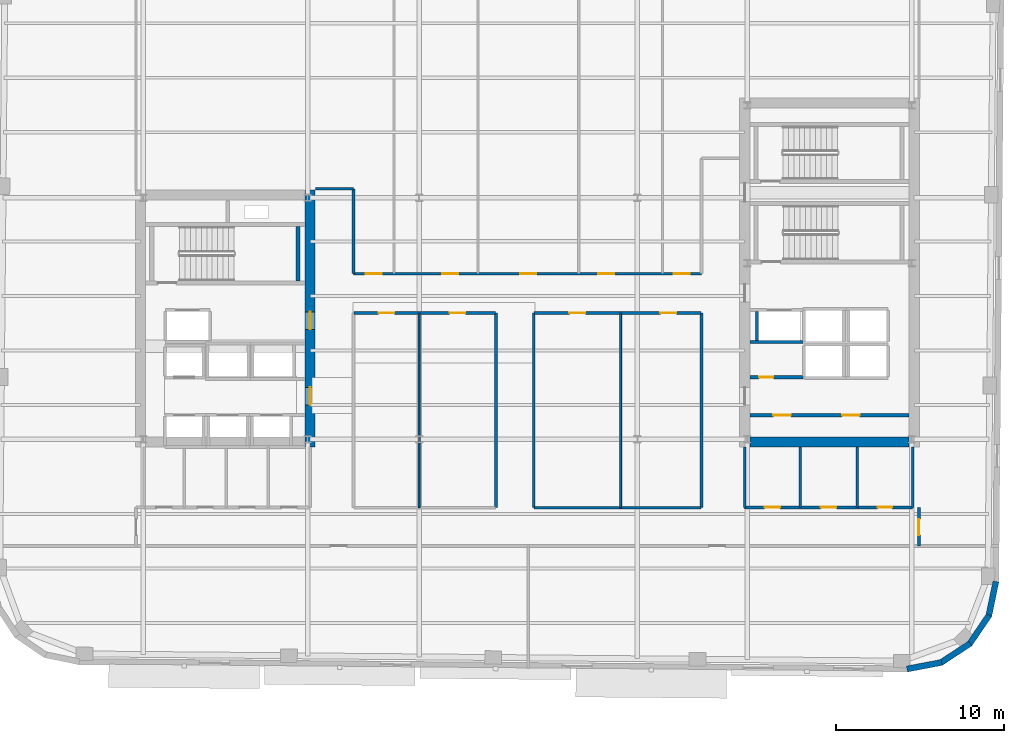
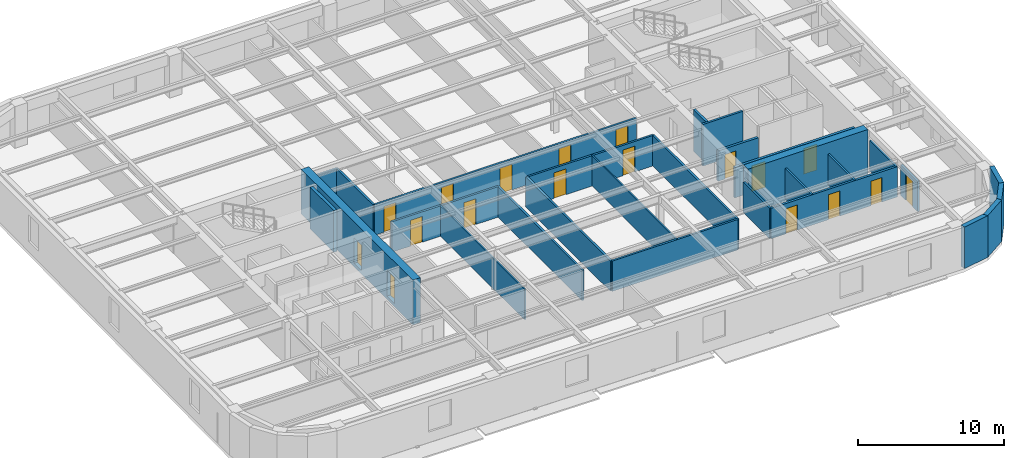
# One storey, part 5 of 11: 28 walls, 18 doors, 18 openings.
"""IFC4 building model written with IfcOpenShell, lengths in metres."""

import ifcopenshell
import ifcopenshell.guid

model = None  # the IFC model being written
_history = None  # IfcOwnerHistory: only IFC2X3 demands one
_inside = {}  # id of a spatial element -> (the spatial element, [elements in it])
_under = {}  # id of a project, library or spatial element -> (it, [spatial elements below it])
_declared = {}  # id of a project -> (the project, [libraries it declares])
_typed = {}  # id of a type object -> (the type object, [elements of that type])
_made_of = {}  # id of a material, layer set ... -> (it, [elements and type objects made of it])


def new_model(schema):
    """Start an empty IFC model of exactly this schema.

    Asked for "IFC4X3", IfcOpenShell would pick the latest addendum, in which some entities
    have other attributes; the version numbers below select the first issue.
    IFC2X3 requires an IfcOwnerHistory on every rooted entity: one is made here for all.
    """
    global model, _history
    if schema == "IFC4X3":
        model = ifcopenshell.file(schema_version=(4, 3, 0, 0))
    else:
        model = ifcopenshell.file(schema=schema)
    _inside.clear()
    _under.clear()
    _declared.clear()
    _typed.clear()
    _made_of.clear()
    _history = None
    if model.schema == "IFC2X3":
        org = make("IfcOrganization", Name="unknown")
        user = make(
            "IfcPersonAndOrganization",
            ThePerson=make("IfcPerson", FamilyName="unknown"),
            TheOrganization=org,
        )
        app = make(
            "IfcApplication",
            ApplicationDeveloper=org,
            Version="unknown",
            ApplicationFullName="unknown",
            ApplicationIdentifier="unknown",
        )
        _history = make(
            "IfcOwnerHistory",
            OwningUser=user,
            OwningApplication=app,
            ChangeAction="ADDED",
            CreationDate=0,
        )
    return model


def make(cls, **values):
    """One entity of the class cls with the attributes given. An attribute that is None is left unset."""
    return model.create_entity(
        cls, **{name: value for name, value in values.items() if value is not None}
    )


def rooted(cls, **values):
    """An entity with a GlobalId (a new one), such as an element, a storey or a relation."""
    return make(cls, GlobalId=ifcopenshell.guid.new(), OwnerHistory=_history, **values)


def si_unit(unit_type, name, prefix=None):
    """IfcSIUnit, for example si_unit("LENGTHUNIT", "METRE", prefix="MILLI")."""
    return make("IfcSIUnit", UnitType=unit_type, Prefix=prefix, Name=name)


def assignment(units):
    """IfcUnitAssignment: the units of a project."""
    return None if units is None else make("IfcUnitAssignment", Units=units)


def point(xyz):
    """IfcCartesianPoint."""
    return None if xyz is None else make("IfcCartesianPoint", Coordinates=xyz)


def direction(xyz):
    """IfcDirection."""
    return None if xyz is None else make("IfcDirection", DirectionRatios=xyz)


def frame(location, z_axis=None, x_axis=None):
    """IfcAxis2Placement3D, a coordinate frame: its origin and axes. An axis left out is left unset."""
    return make(
        "IfcAxis2Placement3D",
        Location=point(location),
        Axis=direction(z_axis),
        RefDirection=direction(x_axis),
    )


def frame_2d(location, x_axis=None):
    """IfcAxis2Placement2D, a coordinate frame in the plane: its origin and x axis."""
    return make(
        "IfcAxis2Placement2D", Location=point(location), RefDirection=direction(x_axis)
    )


def origin():
    """The frame at (0, 0, 0) with its axes left unset."""
    return frame((0.0, 0.0, 0.0))


def place(relative_to, where):
    """IfcLocalPlacement: puts the frame where relative to a parent placement (None: the world)."""
    return make(
        "IfcLocalPlacement", PlacementRelTo=relative_to, RelativePlacement=where
    )


def context(
    kind, dimensions, precision=None, world=None, true_north=None, identifier=None
):
    """IfcGeometricRepresentationContext, for example the 3D "Model" context."""
    return make(
        "IfcGeometricRepresentationContext",
        ContextIdentifier=identifier,
        ContextType=kind,
        CoordinateSpaceDimension=dimensions,
        Precision=precision,
        WorldCoordinateSystem=world,
        TrueNorth=true_north,
    )


def subcontext(parent, identifier, kind, view, scale=None):
    """IfcGeometricRepresentationSubContext, for example "Body" below "Model"."""
    return make(
        "IfcGeometricRepresentationSubContext",
        ContextIdentifier=identifier,
        ContextType=kind,
        ParentContext=parent,
        TargetScale=scale,
        TargetView=view,
    )


def project(units=None, contexts=None):
    """IfcProject with its units and contexts."""
    return rooted(
        "IfcProject",
        Name="project",
        RepresentationContexts=contexts,
        UnitsInContext=assignment(units),
    )


def spatial(cls, under=None, at=None, **own):
    """A site, building, storey or space (cls), placed at a placement, below another one or the project."""
    s = rooted(cls, ObjectPlacement=at, **own)
    if under is not None:
        _under.setdefault(under.id(), (under, []))[1].append(s)
    return s


def profile(cls, at=None, kind="AREA", **sizes):
    """A parametric profile (cls). Its sizes go by their IFC names, for example OverallWidth=200.0."""
    return make(cls, ProfileType=kind, Position=at, **sizes)


def rectangle(**sizes):
    """IfcRectangleProfileDef."""
    return profile("IfcRectangleProfileDef", **sizes)


def extrude(swept, where, along, depth):
    """IfcExtrudedAreaSolid: the profile swept, set in the frame where, extruded along a direction by depth."""
    return make(
        "IfcExtrudedAreaSolid",
        SweptArea=swept,
        Position=where,
        ExtrudedDirection=direction(along),
        Depth=depth,
    )


def shape(context_of_items, identifier, shape_type, items):
    """IfcShapeRepresentation: the items that make up one representation, for example the "Body"."""
    return make(
        "IfcShapeRepresentation",
        ContextOfItems=context_of_items,
        RepresentationIdentifier=identifier,
        RepresentationType=shape_type,
        Items=items,
    )


def material(Name=None, Category=None):
    """IfcMaterial."""
    return make("IfcMaterial", Name=Name, Category=Category)


def layer(
    of_material, thickness, ventilated=None, Name=None, Category=None, Priority=None
):
    """IfcMaterialLayer: one layer of a wall or slab, of a material (None: an air gap)."""
    return make(
        "IfcMaterialLayer",
        Material=of_material,
        LayerThickness=thickness,
        IsVentilated=ventilated,
        Name=Name,
        Category=Category,
        Priority=Priority,
    )


def layer_set(layers, Name=None):
    """IfcMaterialLayerSet."""
    return make("IfcMaterialLayerSet", MaterialLayers=layers, LayerSetName=Name)


def made_of(thing, what):
    """Note that an element or type object is made of a material, layer set ...; save() writes the relation."""
    if what is not None:
        _made_of.setdefault(what.id(), (what, []))[1].append(thing)
    return thing


def type_object(cls, material=None, **own):
    """A type object (cls), such as IfcWallType, which elements share."""
    return made_of(rooted(cls, **own), material)


def element(
    cls,
    number,
    at=None,
    inside=None,
    cuts=None,
    type_object=None,
    material=None,
    context=None,
    identifier="Body",
    shape_type=None,
    held_by="IfcProductDefinitionShape",
    body=None,
    shapes=None,
    **own,
):
    """One element of the class cls, such as IfcWall. Its Tag is "e" and its number.

    at: its placement. inside: the storey or other place that contains it. cuts: it is an
    opening in that element (IfcRelVoidsElement). A single representation is given by context,
    identifier, shape_type and body (its items); several are given by shapes. held_by: the class
    of the entity that holds the representations. save() writes the other relations.
    """
    e = rooted(cls, Tag="e%d" % number, ObjectPlacement=at, **own)
    if body is not None:
        shapes = [shape(context, identifier, shape_type, body)]
    if shapes is not None:
        e.Representation = make(held_by, Representations=shapes)
    if inside is not None:
        _inside.setdefault(inside.id(), (inside, []))[1].append(e)
    if cuts is not None:
        rooted(
            "IfcRelVoidsElement", RelatingBuildingElement=cuts, RelatedOpeningElement=e
        )
    if type_object is not None:
        _typed.setdefault(type_object.id(), (type_object, []))[1].append(e)
    return made_of(e, material)


def fill(opening, filler):
    """IfcRelFillsElement: the door or window that sits in an opening."""
    return rooted(
        "IfcRelFillsElement",
        RelatingOpeningElement=opening,
        RelatedBuildingElement=filler,
    )


def aggregate(whole, parts):
    """IfcRelAggregates: a whole, such as a stair, and the parts it consists of."""
    return rooted("IfcRelAggregates", RelatingObject=whole, RelatedObjects=parts)


def save(model, path):
    """Write the relations noted so far, then the file.

    IfcRelAggregates (storeys below a building ...), IfcRelContainedInSpatialStructure (elements
    in a storey), IfcRelDefinesByType, IfcRelAssociatesMaterial and IfcRelDeclares: one each for
    every whole, place, type object, material and project.
    """
    for whole, parts in _under.values():
        aggregate(whole, parts)
    for where, things in _inside.values():
        rooted(
            "IfcRelContainedInSpatialStructure",
            RelatedElements=things,
            RelatingStructure=where,
        )
    for kind, things in _typed.values():
        rooted("IfcRelDefinesByType", RelatedObjects=things, RelatingType=kind)
    for what, things in _made_of.values():
        rooted("IfcRelAssociatesMaterial", RelatedObjects=things, RelatingMaterial=what)
    for by, libraries in _declared.values():
        rooted("IfcRelDeclares", RelatingContext=by, RelatedDefinitions=libraries)
    model.write(path)


model = new_model("IFC4")

# Units and contexts
model_context = context("Model", 3, precision=1e-05, world=origin(), true_north=direction((0.0, 1.0)))
body_context = subcontext(model_context, "Body", "Model", "MODEL_VIEW")
ifc_project = project(units=[si_unit("LENGTHUNIT", "METRE"), si_unit("AREAUNIT", "SQUARE_METRE"), si_unit("VOLUMEUNIT", "CUBIC_METRE"), si_unit("PLANEANGLEUNIT", "RADIAN"), si_unit("MASSUNIT", "GRAM", prefix="KILO")], contexts=[model_context])

# Site, building, storey
site_placement = place(None, origin())
site = spatial("IfcSite", under=ifc_project, at=site_placement, CompositionType="ELEMENT")
building_placement = place(site_placement, origin())
building = spatial("IfcBuilding", under=site, at=building_placement, Name="Kolvaren Arena Tower", CompositionType="ELEMENT")
storey_placement = place(building_placement, frame((0.0, 0.0, 180.949951171875)))
storey = spatial("IfcBuildingStorey", under=building, at=storey_placement, Name="L43", CompositionType="ELEMENT", Elevation=180.949951171875)

# Wall, openings, doors
ifc_material_1 = material(Name="Gypsum board acoustic assembly", Category="gypsum")
ifc_layer_1 = layer(ifc_material_1, 0.159912109375)
ifc_layer_set_1 = layer_set([ifc_layer_1], Name="Gypsum board acoustic assembly")
wall_type_1 = type_object("IfcWallType", Name="CORR-160", PredefinedType="PARTITIONING", material=ifc_layer_set_1)
wall_1_placement = place(storey_placement, frame((27.080078125, 29.320068359375, 0.0), z_axis=(0.0, 0.0, 1.0), x_axis=(1.0, 0.0, 0.0)))
wall_1 = element("IfcWall", 1, at=wall_1_placement, inside=storey, type_object=wall_type_1, Name="Interior Partition Wall (L43)", PredefinedType="PARTITIONING", context=body_context, shape_type="SweptSolid", body=[
    extrude(rectangle(XDim=20.739990234375, YDim=0.159912109375, at=frame_2d((10.3701171875, 0.0))), origin(), (0.0, 0.0, 1.0), 2.5400390625),
])
opening_1_placement = place(wall_1_placement, frame((0.7451171875, 0.0, 0.0)))
opening_1 = element("IfcOpeningElement", 2, at=opening_1_placement, cuts=wall_1, Name="Opening D05", PredefinedType="OPENING", context=body_context, shape_type="SweptSolid", body=[
    extrude(rectangle(XDim=0.949951171875, YDim=2.14990234375, at=frame_2d((0.47509765625, 1.074951171875))), frame((0.0, 0.08984375, 0.0), z_axis=(0.0, -1.0, 0.0), x_axis=(1.0, 0.0, 0.0)), (0.0, 0.0, 1.0), 0.179931640625),
])
opening_2_placement = place(wall_1_placement, frame((5.294921875, 0.0, 0.0)))
opening_2 = element("IfcOpeningElement", 3, at=opening_2_placement, cuts=wall_1, Name="Opening D05", PredefinedType="OPENING", context=body_context, shape_type="SweptSolid", body=[
    extrude(rectangle(XDim=0.949951171875, YDim=2.14990234375, at=frame_2d((0.47509765625, 1.074951171875))), frame((0.0, 0.08984375, 0.0), z_axis=(0.0, -1.0, 0.0), x_axis=(1.0, 0.0, 0.0)), (0.0, 0.0, 1.0), 0.179931640625),
])
opening_3_placement = place(wall_1_placement, frame((9.945068359375, 0.0, 0.0)))
opening_3 = element("IfcOpeningElement", 4, at=opening_3_placement, cuts=wall_1, Name="Opening D05", PredefinedType="OPENING", context=body_context, shape_type="SweptSolid", body=[
    extrude(rectangle(XDim=0.949951171875, YDim=2.14990234375, at=frame_2d((0.47509765625, 1.074951171875))), frame((0.0, 0.08984375, 0.0), z_axis=(0.0, -1.0, 0.0), x_axis=(1.0, 0.0, 0.0)), (0.0, 0.0, 1.0), 0.179931640625),
])
opening_4_placement = place(wall_1_placement, frame((14.594970703125, 0.0, 0.0)))
opening_4 = element("IfcOpeningElement", 5, at=opening_4_placement, cuts=wall_1, Name="Opening D05", PredefinedType="OPENING", context=body_context, shape_type="SweptSolid", body=[
    extrude(rectangle(XDim=0.949951171875, YDim=2.14990234375, at=frame_2d((0.47509765625, 1.074951171875))), frame((0.0, 0.08984375, 0.0), z_axis=(0.0, -1.0, 0.0), x_axis=(1.0, 0.0, 0.0)), (0.0, 0.0, 1.0), 0.179931640625),
])
opening_5_placement = place(wall_1_placement, frame((19.094970703125, 0.0, 0.0)))
opening_5 = element("IfcOpeningElement", 6, at=opening_5_placement, cuts=wall_1, Name="Opening D05", PredefinedType="OPENING", context=body_context, shape_type="SweptSolid", body=[
    extrude(rectangle(XDim=0.949951171875, YDim=2.14990234375, at=frame_2d((0.47509765625, 1.074951171875))), frame((0.0, 0.08984375, 0.0), z_axis=(0.0, -1.0, 0.0), x_axis=(1.0, 0.0, 0.0)), (0.0, 0.0, 1.0), 0.179931640625),
])
ifc_material_2 = material(Name="Solid-core oak acoustic office door", Category="wood")
door_type_1 = type_object("IfcDoorType", Name="DOOR-OF-095", OperationType="NOTDEFINED", PredefinedType="DOOR", material=ifc_material_2)
door_1_placement = place(opening_1_placement, origin())
door_1 = element("IfcDoor", 7, at=door_1_placement, inside=storey, type_object=door_type_1, Name="Design Studio Door (L43)", OperationType="SINGLE_SWING_LEFT", OverallHeight=2.14990234375, OverallWidth=0.949951171875, PredefinedType="DOOR", context=body_context, shape_type="SweptSolid", body=[
    extrude(rectangle(XDim=0.949951171875, YDim=2.14990234375, at=frame_2d((0.47509765625, 1.074951171875))), frame((0.0, 0.02490234375, 0.0), z_axis=(0.0, -1.0, 0.0), x_axis=(1.0, 0.0, 0.0)), (0.0, 0.0, 1.0), 0.050048828125),
])
fill(opening_1, door_1)
door_2_placement = place(opening_2_placement, origin())
door_2 = element("IfcDoor", 8, at=door_2_placement, inside=storey, type_object=door_type_1, Name="Corporate Project Office Door (L43)", OperationType="SINGLE_SWING_RIGHT", OverallHeight=2.14990234375, OverallWidth=0.949951171875, PredefinedType="DOOR", context=body_context, shape_type="SweptSolid", body=[
    extrude(rectangle(XDim=0.949951171875, YDim=2.14990234375, at=frame_2d((0.47509765625, 1.074951171875))), frame((0.0, 0.02490234375, 0.0), z_axis=(0.0, -1.0, 0.0), x_axis=(1.0, 0.0, 0.0)), (0.0, 0.0, 1.0), 0.050048828125),
])
fill(opening_2, door_2)
door_3_placement = place(opening_3_placement, origin())
door_3 = element("IfcDoor", 9, at=door_3_placement, inside=storey, type_object=door_type_1, Name="Breakout Pantry and Kitchen Door (L43)", OperationType="SINGLE_SWING_LEFT", OverallHeight=2.14990234375, OverallWidth=0.949951171875, PredefinedType="DOOR", context=body_context, shape_type="SweptSolid", body=[
    extrude(rectangle(XDim=0.949951171875, YDim=2.14990234375, at=frame_2d((0.47509765625, 1.074951171875))), frame((0.0, 0.02490234375, 0.0), z_axis=(0.0, -1.0, 0.0), x_axis=(1.0, 0.0, 0.0)), (0.0, 0.0, 1.0), 0.050048828125),
])
fill(opening_3, door_3)
door_4_placement = place(opening_4_placement, origin())
door_4 = element("IfcDoor", 10, at=door_4_placement, inside=storey, type_object=door_type_1, Name="Tenant Reception Area Door (L43)", OperationType="SINGLE_SWING_RIGHT", OverallHeight=2.14990234375, OverallWidth=0.949951171875, PredefinedType="DOOR", context=body_context, shape_type="SweptSolid", body=[
    extrude(rectangle(XDim=0.949951171875, YDim=2.14990234375, at=frame_2d((0.47509765625, 1.074951171875))), frame((0.0, 0.02490234375, 0.0), z_axis=(0.0, -1.0, 0.0), x_axis=(1.0, 0.0, 0.0)), (0.0, 0.0, 1.0), 0.050048828125),
])
fill(opening_4, door_4)
door_5_placement = place(opening_5_placement, origin())
door_5 = element("IfcDoor", 11, at=door_5_placement, inside=storey, type_object=door_type_1, Name="Design Studio Door (L43)", OperationType="SINGLE_SWING_LEFT", OverallHeight=2.14990234375, OverallWidth=0.949951171875, PredefinedType="DOOR", context=body_context, shape_type="SweptSolid", body=[
    extrude(rectangle(XDim=0.949951171875, YDim=2.14990234375, at=frame_2d((0.47509765625, 1.074951171875))), frame((0.0, 0.02490234375, 0.0), z_axis=(0.0, -1.0, 0.0), x_axis=(1.0, 0.0, 0.0)), (0.0, 0.0, 1.0), 0.050048828125),
])
fill(opening_5, door_5)

# Walls
wall_2_placement = place(storey_placement, frame((27.080078125, 29.320068359375, 0.0), z_axis=(0.0, 0.0, 1.0), x_axis=(0.0, 1.0, 0.0)))
element("IfcWall", 12, at=wall_2_placement, inside=storey, type_object=wall_type_1, Name="Interior Partition Wall (L43)", PredefinedType="PARTITIONING", context=body_context, shape_type="SweptSolid", body=[
    extrude(rectangle(XDim=5.059814453125, YDim=0.159912109375, at=frame_2d((2.52978515625, 0.0))), origin(), (0.0, 0.0, 1.0), 2.5400390625),
])
wall_3_placement = place(storey_placement, frame((24.820068359375, 34.3798828125, 0.0), z_axis=(0.0, 0.0, 1.0), x_axis=(1.0, 0.0, 0.0)))
element("IfcWall", 13, at=wall_3_placement, inside=storey, type_object=wall_type_1, Name="Interior Partition Wall (L43)", PredefinedType="PARTITIONING", context=body_context, shape_type="SweptSolid", body=[
    extrude(rectangle(XDim=2.260009765625, YDim=0.159912109375, at=frame_2d((1.1298828125, 0.0))), origin(), (0.0, 0.0, 1.0), 2.5400390625),
])

# Wall, openings, doors
wall_4_placement = place(storey_placement, frame((27.10009765625, 26.97998046875, 0.0), z_axis=(0.0, 0.0, 1.0), x_axis=(1.0, 0.0, 0.0)))
wall_4 = element("IfcWall", 14, at=wall_4_placement, inside=storey, type_object=wall_type_1, Name="Interior Partition Wall (L43)", PredefinedType="PARTITIONING", context=body_context, shape_type="SweptSolid", body=[
    extrude(rectangle(XDim=8.4599609375, YDim=0.159912109375, at=frame_2d((4.22998046875, 0.0))), origin(), (0.0, 0.0, 1.0), 2.5400390625),
])
opening_6_placement = place(wall_4_placement, frame((1.47509765625, 0.0, 0.0)))
opening_6 = element("IfcOpeningElement", 15, at=opening_6_placement, cuts=wall_4, Name="Opening D05", PredefinedType="OPENING", context=body_context, shape_type="SweptSolid", body=[
    extrude(rectangle(XDim=0.949951171875, YDim=2.14990234375, at=frame_2d((0.47509765625, 1.074951171875))), frame((0.0, 0.08984375, 0.0), z_axis=(0.0, -1.0, 0.0), x_axis=(1.0, 0.0, 0.0)), (0.0, 0.0, 1.0), 0.179931640625),
])
opening_7_placement = place(wall_4_placement, frame((5.705078125, 0.0, 0.0)))
opening_7 = element("IfcOpeningElement", 16, at=opening_7_placement, cuts=wall_4, Name="Opening D05", PredefinedType="OPENING", context=body_context, shape_type="SweptSolid", body=[
    extrude(rectangle(XDim=0.949951171875, YDim=2.14990234375, at=frame_2d((0.47509765625, 1.074951171875))), frame((0.0, 0.08984375, 0.0), z_axis=(0.0, -1.0, 0.0), x_axis=(1.0, 0.0, 0.0)), (0.0, 0.0, 1.0), 0.179931640625),
])
door_6_placement = place(opening_6_placement, origin())
door_6 = element("IfcDoor", 17, at=door_6_placement, inside=storey, type_object=door_type_1, Name="Training Seminar Room Door (L43)", OperationType="SINGLE_SWING_RIGHT", OverallHeight=2.14990234375, OverallWidth=0.949951171875, PredefinedType="DOOR", context=body_context, shape_type="SweptSolid", body=[
    extrude(rectangle(XDim=0.949951171875, YDim=2.14990234375, at=frame_2d((0.47509765625, 1.074951171875))), frame((0.0, 0.02490234375, 0.0), z_axis=(0.0, -1.0, 0.0), x_axis=(1.0, 0.0, 0.0)), (0.0, 0.0, 1.0), 0.050048828125),
])
fill(opening_6, door_6)
door_7_placement = place(opening_7_placement, origin())
door_7 = element("IfcDoor", 18, at=door_7_placement, inside=storey, type_object=door_type_1, Name="Design Studio Door (L43)", OperationType="SINGLE_SWING_LEFT", OverallHeight=2.14990234375, OverallWidth=0.949951171875, PredefinedType="DOOR", context=body_context, shape_type="SweptSolid", body=[
    extrude(rectangle(XDim=0.949951171875, YDim=2.14990234375, at=frame_2d((0.47509765625, 1.074951171875))), frame((0.0, 0.02490234375, 0.0), z_axis=(0.0, -1.0, 0.0), x_axis=(1.0, 0.0, 0.0)), (0.0, 0.0, 1.0), 0.050048828125),
])
fill(opening_7, door_7)

wall_5_placement = place(storey_placement, frame((37.840087890625, 26.97998046875, 0.0), z_axis=(0.0, 0.0, 1.0), x_axis=(1.0, 0.0, 0.0)))
wall_5 = element("IfcWall", 19, at=wall_5_placement, inside=storey, type_object=wall_type_1, Name="Interior Partition Wall (L43)", PredefinedType="PARTITIONING", context=body_context, shape_type="SweptSolid", body=[
    extrude(rectangle(XDim=9.9599609375, YDim=0.159912109375, at=frame_2d((4.97998046875, 0.0))), origin(), (0.0, 0.0, 1.0), 2.5400390625),
])
opening_8_placement = place(wall_5_placement, frame((2.10498046875, 0.0, 0.0)))
opening_8 = element("IfcOpeningElement", 20, at=opening_8_placement, cuts=wall_5, Name="Opening D05", PredefinedType="OPENING", context=body_context, shape_type="SweptSolid", body=[
    extrude(rectangle(XDim=0.949951171875, YDim=2.14990234375, at=frame_2d((0.47509765625, 1.074951171875))), frame((0.0, 0.08984375, 0.0), z_axis=(0.0, -1.0, 0.0), x_axis=(1.0, 0.0, 0.0)), (0.0, 0.0, 1.0), 0.179931640625),
])
opening_9_placement = place(wall_5_placement, frame((7.534912109375, 0.0, 0.0)))
opening_9 = element("IfcOpeningElement", 21, at=opening_9_placement, cuts=wall_5, Name="Opening D05", PredefinedType="OPENING", context=body_context, shape_type="SweptSolid", body=[
    extrude(rectangle(XDim=0.949951171875, YDim=2.14990234375, at=frame_2d((0.47509765625, 1.074951171875))), frame((0.0, 0.08984375, 0.0), z_axis=(0.0, -1.0, 0.0), x_axis=(1.0, 0.0, 0.0)), (0.0, 0.0, 1.0), 0.179931640625),
])
door_8_placement = place(opening_8_placement, origin())
door_8 = element("IfcDoor", 22, at=door_8_placement, inside=storey, type_object=door_type_1, Name="Boardroom Door (L43)", OperationType="SINGLE_SWING_RIGHT", OverallHeight=2.14990234375, OverallWidth=0.949951171875, PredefinedType="DOOR", context=body_context, shape_type="SweptSolid", body=[
    extrude(rectangle(XDim=0.949951171875, YDim=2.14990234375, at=frame_2d((0.47509765625, 1.074951171875))), frame((0.0, 0.02490234375, 0.0), z_axis=(0.0, -1.0, 0.0), x_axis=(1.0, 0.0, 0.0)), (0.0, 0.0, 1.0), 0.050048828125),
])
fill(opening_8, door_8)
door_9_placement = place(opening_9_placement, origin())
door_9 = element("IfcDoor", 23, at=door_9_placement, inside=storey, type_object=door_type_1, Name="Breakout Pantry and Kitchen Door (L43)", OperationType="SINGLE_SWING_LEFT", OverallHeight=2.14990234375, OverallWidth=0.949951171875, PredefinedType="DOOR", context=body_context, shape_type="SweptSolid", body=[
    extrude(rectangle(XDim=0.949951171875, YDim=2.14990234375, at=frame_2d((0.47509765625, 1.074951171875))), frame((0.0, 0.02490234375, 0.0), z_axis=(0.0, -1.0, 0.0), x_axis=(1.0, 0.0, 0.0)), (0.0, 0.0, 1.0), 0.050048828125),
])
fill(opening_9, door_9)

# Walls
wall_6_placement = place(storey_placement, frame((37.840087890625, 15.3798828125, 0.0), z_axis=(0.0, 0.0, 1.0), x_axis=(1.0, 0.0, 0.0)))
element("IfcWall", 24, at=wall_6_placement, inside=storey, type_object=wall_type_1, Name="Interior Partition Wall (L43)", PredefinedType="PARTITIONING", context=body_context, shape_type="SweptSolid", body=[
    extrude(rectangle(XDim=9.9599609375, YDim=0.159912109375, at=frame_2d((4.97998046875, 0.0))), origin(), (0.0, 0.0, 1.0), 2.5400390625),
])
for number, where, z_axis, x_axis, name in (
    (25, (35.580078125, 15.3798828125, 0.0), (0.0, 0.0, 1.0), (0.0, 1.0, 0.0), "Interior Partition Wall (L43)"),
    (26, (37.820068359375, 15.3798828125, 0.0), (0.0, 0.0, 1.0), (0.0, 1.0, 0.0), "Interior Partition Wall (L43)"),
    (27, (47.820068359375, 15.3798828125, 0.0), (0.0, 0.0, 1.0), (0.0, 1.0, 0.0), "Interior Partition Wall (L43)"),
):
    element("IfcWall", number, at=place(storey_placement, frame(where, z_axis=z_axis, x_axis=x_axis)), inside=storey, type_object=wall_type_1, Name=name, PredefinedType="PARTITIONING", context=body_context, shape_type="SweptSolid", body=[
        extrude(rectangle(XDim=11.60009765625, YDim=0.159912109375, at=frame_2d((5.800048828125, 0.0))), origin(), (0.0, 0.0, 1.0), 2.5400390625),
    ])

# Wall, opening, door
wall_7_placement = place(storey_placement, frame((60.780029296875, 13.10009765625, 0.0), z_axis=(0.0, 0.0, 1.0), x_axis=(0.0, 1.0, 0.0)))
wall_7 = element("IfcWall", 28, at=wall_7_placement, inside=storey, type_object=wall_type_1, Name="Interior Partition Wall (L43)", PredefinedType="PARTITIONING", context=body_context, shape_type="SweptSolid", body=[
    extrude(rectangle(XDim=2.2998046875, YDim=0.159912109375, at=frame_2d((1.14990234375, 0.0))), origin(), (0.0, 0.0, 1.0), 2.5400390625),
])
opening_10_placement = place(wall_7_placement, frame((0.64990234375, 0.0, 0.0)))
opening_10 = element("IfcOpeningElement", 29, at=opening_10_placement, cuts=wall_7, Name="Opening D05", PredefinedType="OPENING", context=body_context, shape_type="SweptSolid", body=[
    extrude(rectangle(XDim=0.949951171875, YDim=2.14990234375, at=frame_2d((0.47509765625, 1.074951171875))), frame((0.0, 0.08984375, 0.0), z_axis=(0.0, -1.0, 0.0), x_axis=(1.0, 0.0, 0.0)), (0.0, 0.0, 1.0), 0.179931640625),
])
door_10_placement = place(opening_10_placement, origin())
door_10 = element("IfcDoor", 30, at=door_10_placement, inside=storey, type_object=door_type_1, Name="East Wing Studio Door (L43)", OperationType="SINGLE_SWING_RIGHT", OverallHeight=2.14990234375, OverallWidth=0.949951171875, PredefinedType="DOOR", context=body_context, shape_type="SweptSolid", body=[
    extrude(rectangle(XDim=0.949951171875, YDim=2.14990234375, at=frame_2d((0.47509765625, 1.074951171875))), frame((0.0, 0.02490234375, 0.0), z_axis=(0.0, -1.0, 0.0), x_axis=(1.0, 0.0, 0.0)), (0.0, 0.0, 1.0), 0.050048828125),
])
fill(opening_10, door_10)

# Wall, openings, doors
ifc_material_3 = material(Name="Concrete 60 MPa", Category="concrete")
ifc_layer_2 = layer(ifc_material_3, 0.60009765625)
ifc_layer_set_2 = layer_set([ifc_layer_2], Name="Concrete 60 MPa")
wall_type_2 = type_object("IfcWallType", Name="CWALL-600", PredefinedType="SHEAR", material=ifc_layer_set_2)
wall_8_placement = place(storey_placement, frame((24.5, 19.0, -0.27001953125), z_axis=(0.0, 0.0, 1.0), x_axis=(0.0, 1.0, 0.0)))
wall_8 = element("IfcWall", 31, at=wall_8_placement, inside=storey, type_object=wall_type_2, Name="Core Shear Wall WC-EAST (L43)", PredefinedType="SHEAR", context=body_context, shape_type="SweptSolid", body=[
    extrude(rectangle(XDim=15.300048828125, YDim=0.60009765625, at=frame_2d((7.64990234375, 0.0))), origin(), (0.0, 0.0, 1.0), 3.75),
])
opening_11_placement = place(wall_8_placement, frame((2.5, 0.0, 0.27001953125)))
opening_11 = element("IfcOpeningElement", 32, at=opening_11_placement, cuts=wall_8, Name="Opening D04", PredefinedType="OPENING", context=body_context, shape_type="SweptSolid", body=[
    extrude(rectangle(XDim=1.050048828125, YDim=2.14990234375, at=frame_2d((0.52490234375, 1.074951171875))), frame((0.0, 0.31005859375, 0.0), z_axis=(0.0, -1.0, 0.0), x_axis=(1.0, 0.0, 0.0)), (0.0, 0.0, 1.0), 0.6201171875),
])
opening_12_placement = place(wall_8_placement, frame((7.0, 0.0, 0.27001953125)))
opening_12 = element("IfcOpeningElement", 33, at=opening_12_placement, cuts=wall_8, Name="Opening D04", PredefinedType="OPENING", context=body_context, shape_type="SweptSolid", body=[
    extrude(rectangle(XDim=1.050048828125, YDim=2.14990234375, at=frame_2d((0.52490234375, 1.074951171875))), frame((0.0, 0.31005859375, 0.0), z_axis=(0.0, -1.0, 0.0), x_axis=(1.0, 0.0, 0.0)), (0.0, 0.0, 1.0), 0.6201171875),
])
ifc_material_4 = material(Name="Fire-rated steel lobby door", Category="steel")
door_type_2 = type_object("IfcDoorType", Name="DOOR-FF-105", OperationType="NOTDEFINED", PredefinedType="DOOR", material=ifc_material_4)
door_11_placement = place(opening_11_placement, origin())
door_11 = element("IfcDoor", 34, at=door_11_placement, inside=storey, type_object=door_type_2, Name="West Lift Lobby Fire Door (L43)", OperationType="SINGLE_SWING_LEFT", OverallHeight=2.14990234375, OverallWidth=1.050048828125, PredefinedType="DOOR", context=body_context, shape_type="SweptSolid", body=[
    extrude(rectangle(XDim=1.050048828125, YDim=2.14990234375, at=frame_2d((0.52490234375, 1.074951171875))), frame((0.0, 0.02490234375, 0.0), z_axis=(0.0, -1.0, 0.0), x_axis=(1.0, 0.0, 0.0)), (0.0, 0.0, 1.0), 0.050048828125),
])
fill(opening_11, door_11)
door_12_placement = place(opening_12_placement, origin())
door_12 = element("IfcDoor", 35, at=door_12_placement, inside=storey, type_object=door_type_2, Name="West Firefighter Vestibule Door (L43)", OperationType="SINGLE_SWING_RIGHT", OverallHeight=2.14990234375, OverallWidth=1.050048828125, PredefinedType="DOOR", context=body_context, shape_type="SweptSolid", body=[
    extrude(rectangle(XDim=1.050048828125, YDim=2.14990234375, at=frame_2d((0.52490234375, 1.074951171875))), frame((0.0, 0.02490234375, 0.0), z_axis=(0.0, -1.0, 0.0), x_axis=(1.0, 0.0, 0.0)), (0.0, 0.0, 1.0), 0.050048828125),
])
fill(opening_12, door_12)

# Walls
wall_9_placement = place(storey_placement, frame((50.699951171875, 19.300048828125, -0.27001953125), z_axis=(0.0, 0.0, 1.0), x_axis=(1.0, 0.0, 0.0)))
element("IfcWall", 36, at=wall_9_placement, inside=storey, type_object=wall_type_2, Name="Core Shear Wall EC-SOUTH (L43)", PredefinedType="SHEAR", context=body_context, shape_type="SweptSolid", body=[
    extrude(rectangle(XDim=9.5, YDim=0.60009765625, at=frame_2d((4.75, 0.0))), origin(), (0.0, 0.0, 1.0), 3.75),
])
ifc_material_5 = material(Name="Precast concrete C50/60", Category="concrete")
ifc_layer_3 = layer(ifc_material_5, 0.360107421875)
ifc_layer_set_3 = layer_set([ifc_layer_3], Name="Precast concrete C50/60")
wall_type_3 = type_object("IfcWallType", Name="EXT-PIER2", PredefinedType="SOLIDWALL", material=ifc_layer_set_3)
wall_10_placement = place(storey_placement, frame((62.136474609375, 6.155029296875, 0.0), z_axis=(0.0, 0.0, 1.0), x_axis=(-0.98246713518, -0.186435855703, 0.0)))
element("IfcWall", 37, at=wall_10_placement, inside=storey, type_object=wall_type_3, Name="Exterior Precast Masonry-Frame Wall (L43)", PredefinedType="SOLIDWALL", context=body_context, shape_type="SweptSolid", body=[
    extrude(rectangle(XDim=2.10693359375, YDim=0.360107421875, at=frame_2d((1.053466796875, 0.0))), origin(), (0.0, 0.0, 1.0), 3.47998046875),
])
wall_11_placement = place(storey_placement, frame((63.83349609375, 7.2841796875, 0.0), z_axis=(0.0, 0.0, 1.0), x_axis=(-0.836303589916, -0.548266637224, 0.0)))
element("IfcWall", 38, at=wall_11_placement, inside=storey, type_object=wall_type_3, Name="Exterior Precast Masonry-Frame Wall (L43)", PredefinedType="SOLIDWALL", context=body_context, shape_type="SweptSolid", body=[
    extrude(rectangle(XDim=2.107177734375, YDim=0.360107421875, at=frame_2d((1.0537109375, 0.0))), origin(), (0.0, 0.0, 1.0), 3.47998046875),
])
for number, where, z_axis, x_axis, name in (
    (39, (64.968994140625, 8.9765625, 0.0), (0.0, 0.0, 1.0), (-0.56277581689, -0.826609569219, 0.0), "Exterior Precast Masonry-Frame Wall (L43)"),
    (40, (65.370849609375, 10.974609375, 0.0), (0.0, 0.0, 1.0), (-0.203709000552, -0.979031482177, 0.0), "Exterior Precast Masonry-Frame Wall (L43)"),
):
    element("IfcWall", number, at=place(storey_placement, frame(where, z_axis=z_axis, x_axis=x_axis)), inside=storey, type_object=wall_type_3, Name=name, PredefinedType="SOLIDWALL", context=body_context, shape_type="SweptSolid", body=[
        extrude(rectangle(XDim=2.10693359375, YDim=0.360107421875, at=frame_2d((1.053466796875, 0.0))), origin(), (0.0, 0.0, 1.0), 3.47998046875),
    ])

# Wall, openings, doors
ifc_material_6 = material(Name="Concrete 40 MPa", Category="concrete")
ifc_layer_4 = layer(ifc_material_6, 0.199951171875)
ifc_layer_set_4 = layer_set([ifc_layer_4], Name="Concrete 40 MPa")
wall_type_4 = type_object("IfcWallType", Name="LOBBY-200", PredefinedType="SOLIDWALL", material=ifc_layer_set_4)
wall_12_placement = place(storey_placement, frame((50.699951171875, 20.8798828125, 0.0), z_axis=(0.0, 0.0, 1.0), x_axis=(1.0, 0.0, 0.0)))
wall_12 = element("IfcWall", 41, at=wall_12_placement, inside=storey, type_object=wall_type_4, Name="Core Shaft Wall (L43)", PredefinedType="SOLIDWALL", context=body_context, shape_type="SweptSolid", body=[
    extrude(rectangle(XDim=9.5, YDim=0.199951171875, at=frame_2d((4.75, 0.0))), origin(), (0.0, 0.0, 1.0), 2.5400390625),
])
opening_13_placement = place(wall_12_placement, frame((1.39990234375, 0.0, 0.0)))
opening_13 = element("IfcOpeningElement", 42, at=opening_13_placement, cuts=wall_12, Name="Opening D04", PredefinedType="OPENING", context=body_context, shape_type="SweptSolid", body=[
    extrude(rectangle(XDim=1.050048828125, YDim=2.14990234375, at=frame_2d((0.52490234375, 1.074951171875))), frame((0.0, 0.10986328125, 0.0), z_axis=(0.0, -1.0, 0.0), x_axis=(1.0, 0.0, 0.0)), (0.0, 0.0, 1.0), 0.219970703125),
])
opening_14_placement = place(wall_12_placement, frame((5.5, 0.0, 0.0)))
opening_14 = element("IfcOpeningElement", 43, at=opening_14_placement, cuts=wall_12, Name="Opening D04", PredefinedType="OPENING", context=body_context, shape_type="SweptSolid", body=[
    extrude(rectangle(XDim=1.050048828125, YDim=2.14990234375, at=frame_2d((0.52490234375, 1.074951171875))), frame((0.0, 0.10986328125, 0.0), z_axis=(0.0, -1.0, 0.0), x_axis=(1.0, 0.0, 0.0)), (0.0, 0.0, 1.0), 0.219970703125),
])
door_13_placement = place(opening_13_placement, origin())
door_13 = element("IfcDoor", 44, at=door_13_placement, inside=storey, type_object=door_type_2, Name="East Telecom Room Fire Door (L43)", OperationType="SINGLE_SWING_RIGHT", OverallHeight=2.14990234375, OverallWidth=1.050048828125, PredefinedType="DOOR", context=body_context, shape_type="SweptSolid", body=[
    extrude(rectangle(XDim=1.050048828125, YDim=2.14990234375, at=frame_2d((0.52490234375, 1.074951171875))), frame((0.0, 0.02490234375, 0.0), z_axis=(0.0, -1.0, 0.0), x_axis=(1.0, 0.0, 0.0)), (0.0, 0.0, 1.0), 0.050048828125),
])
fill(opening_13, door_13)
door_14_placement = place(opening_14_placement, origin())
door_14 = element("IfcDoor", 45, at=door_14_placement, inside=storey, type_object=door_type_2, Name="East Records Room Fire Door (L43)", OperationType="SINGLE_SWING_LEFT", OverallHeight=2.14990234375, OverallWidth=1.050048828125, PredefinedType="DOOR", context=body_context, shape_type="SweptSolid", body=[
    extrude(rectangle(XDim=1.050048828125, YDim=2.14990234375, at=frame_2d((0.52490234375, 1.074951171875))), frame((0.0, 0.02490234375, 0.0), z_axis=(0.0, -1.0, 0.0), x_axis=(1.0, 0.0, 0.0)), (0.0, 0.0, 1.0), 0.050048828125),
])
fill(opening_14, door_14)

# Wall, opening, door
wall_13_placement = place(storey_placement, frame((50.699951171875, 23.159912109375, 0.0), z_axis=(0.0, 0.0, 1.0), x_axis=(1.0, 0.0, 0.0)))
wall_13 = element("IfcWall", 46, at=wall_13_placement, inside=storey, type_object=wall_type_4, Name="Core Shaft Wall (L43)", PredefinedType="SOLIDWALL", context=body_context, shape_type="SweptSolid", body=[
    extrude(rectangle(XDim=3.179931640625, YDim=0.199951171875, at=frame_2d((1.58984375, 0.0))), origin(), (0.0, 0.0, 1.0), 2.5400390625),
])
opening_15_placement = place(wall_13_placement, frame((0.550048828125, 0.0, 0.0)))
opening_15 = element("IfcOpeningElement", 47, at=opening_15_placement, cuts=wall_13, Name="Opening D09", PredefinedType="OPENING", context=body_context, shape_type="SweptSolid", body=[
    extrude(rectangle(XDim=0.860107421875, YDim=2.050048828125, at=frame_2d((0.43017578125, 1.02490234375))), frame((0.0, 0.10986328125, 0.0), z_axis=(0.0, -1.0, 0.0), x_axis=(1.0, 0.0, 0.0)), (0.0, 0.0, 1.0), 0.219970703125),
])
ifc_material_7 = material(Name="Fire-rated steel riser access door", Category="steel")
door_type_3 = type_object("IfcDoorType", Name="DOOR-RS-086", OperationType="NOTDEFINED", PredefinedType="DOOR", material=ifc_material_7)
door_15_placement = place(opening_15_placement, origin())
door_15 = element("IfcDoor", 48, at=door_15_placement, inside=storey, type_object=door_type_3, Name="East AV Riser Closet Door (L43)", OperationType="SINGLE_SWING_LEFT", OverallHeight=2.050048828125, OverallWidth=0.860107421875, PredefinedType="DOOR", context=body_context, shape_type="SweptSolid", body=[
    extrude(rectangle(XDim=0.860107421875, YDim=2.050048828125, at=frame_2d((0.43017578125, 1.02490234375))), frame((0.0, 0.02490234375, 0.0), z_axis=(0.0, -1.0, 0.0), x_axis=(1.0, 0.0, 0.0)), (0.0, 0.0, 1.0), 0.050048828125),
])
fill(opening_15, door_15)

# Walls
ifc_material_8 = material(Name="Gypsum board partition assembly", Category="gypsum")
ifc_layer_5 = layer(ifc_material_8, 0.114990234375)
ifc_layer_set_5 = layer_set([ifc_layer_5], Name="Gypsum board partition assembly")
wall_type_5 = type_object("IfcWallType", Name="PART-115", PredefinedType="PARTITIONING", material=ifc_layer_set_5)
for number, where, z_axis, x_axis, name in (
    (49, (31.0, 15.3798828125, 0.0), (0.0, 0.0, 1.0), (0.0, 1.0, 0.0), "Interior Partition Wall (L43)"),
    (50, (43.0, 15.3798828125, 0.0), (0.0, 0.0, 1.0), (0.0, 1.0, 0.0), "Interior Partition Wall (L43)"),
):
    element("IfcWall", number, at=place(storey_placement, frame(where, z_axis=z_axis, x_axis=x_axis)), inside=storey, type_object=wall_type_5, Name=name, PredefinedType="PARTITIONING", context=body_context, shape_type="SweptSolid", body=[
        extrude(rectangle(XDim=11.60009765625, YDim=0.114990234375, at=frame_2d((5.800048828125, 0.0))), origin(), (0.0, 0.0, 1.0), 2.5400390625),
    ])
ifc_material_9 = material(Name="Concrete 45 MPa", Category="concrete")
ifc_layer_6 = layer(ifc_material_9, 0.25)
ifc_layer_set_6 = layer_set([ifc_layer_6], Name="Concrete 45 MPa")
wall_type_6 = type_object("IfcWallType", Name="SHAFT-250", PredefinedType="SOLIDWALL", material=ifc_layer_set_6)
wall_14_placement = place(storey_placement, frame((23.780029296875, 28.89990234375, 0.0), z_axis=(0.0, 0.0, 1.0), x_axis=(0.0, 1.0, 0.0)))
element("IfcWall", 51, at=wall_14_placement, inside=storey, type_object=wall_type_6, Name="Core Shaft Wall (L43)", PredefinedType="SOLIDWALL", context=body_context, shape_type="SweptSolid", body=[
    extrude(rectangle(XDim=3.22998046875, YDim=0.239990234375, at=frame_2d((1.614990234375, 0.0))), origin(), (0.0, 0.0, 1.0), 3.47998046875),
])
wall_15_placement = place(storey_placement, frame((50.699951171875, 25.2451171875, 0.0), z_axis=(0.0, 0.0, 1.0), x_axis=(1.0, 0.0, 0.0)))
element("IfcWall", 52, at=wall_15_placement, inside=storey, type_object=wall_type_6, Name="Core Shaft Wall (L43)", PredefinedType="SOLIDWALL", context=body_context, shape_type="SweptSolid", body=[
    extrude(rectangle(XDim=3.1650390625, YDim=0.179931640625, at=frame_2d((1.58251953125, 0.0))), origin(), (0.0, 0.0, 1.0), 3.47998046875),
])
wall_16_placement = place(storey_placement, frame((51.1298828125, 25.3349609375, 0.0), z_axis=(0.0, 0.0, 1.0), x_axis=(0.0, 1.0, 0.0)))
element("IfcWall", 53, at=wall_16_placement, inside=storey, type_object=wall_type_6, Name="Core Shaft Wall (L43)", PredefinedType="SOLIDWALL", context=body_context, shape_type="SweptSolid", body=[
    extrude(rectangle(XDim=1.72998046875, YDim=0.179931640625, at=frame_2d((0.864990234375, 0.0))), origin(), (0.0, 0.0, 1.0), 3.47998046875),
])

# Wall, openings, doors
wall_17_placement = place(storey_placement, frame((50.39990234375, 15.39990234375, 0.0), z_axis=(0.0, 0.0, 1.0), x_axis=(1.0, 0.0, 0.0)))
wall_17 = element("IfcWall", 54, at=wall_17_placement, inside=storey, type_object=wall_type_6, Name="Interior Partition Wall (L43)", PredefinedType="SOLIDWALL", context=body_context, shape_type="SweptSolid", body=[
    extrude(rectangle(XDim=10.0, YDim=0.179931640625, at=frame_2d((5.0, 0.0))), origin(), (0.0, 0.0, 1.0), 2.5400390625),
])
opening_16_placement = place(wall_17_placement, frame((1.18994140625, 0.0, 0.0)))
opening_16 = element("IfcOpeningElement", 55, at=opening_16_placement, cuts=wall_17, Name="Opening D07", PredefinedType="OPENING", context=body_context, shape_type="SweptSolid", body=[
    extrude(rectangle(XDim=0.919921875, YDim=2.10009765625, at=frame_2d((0.4599609375, 1.050048828125))), frame((0.0, 0.099853515625, 0.0), z_axis=(0.0, -1.0, 0.0), x_axis=(1.0, 0.0, 0.0)), (0.0, 0.0, 1.0), 0.199951171875),
])
opening_17_placement = place(wall_17_placement, frame((4.5400390625, 0.0, 0.0)))
opening_17 = element("IfcOpeningElement", 56, at=opening_17_placement, cuts=wall_17, Name="Opening D07", PredefinedType="OPENING", context=body_context, shape_type="SweptSolid", body=[
    extrude(rectangle(XDim=0.919921875, YDim=2.10009765625, at=frame_2d((0.4599609375, 1.050048828125))), frame((0.0, 0.099853515625, 0.0), z_axis=(0.0, -1.0, 0.0), x_axis=(1.0, 0.0, 0.0)), (0.0, 0.0, 1.0), 0.199951171875),
])
opening_18_placement = place(wall_17_placement, frame((7.919921875, 0.0, 0.0)))
opening_18 = element("IfcOpeningElement", 57, at=opening_18_placement, cuts=wall_17, Name="Opening D09", PredefinedType="OPENING", context=body_context, shape_type="SweptSolid", body=[
    extrude(rectangle(XDim=0.860107421875, YDim=2.050048828125, at=frame_2d((0.43017578125, 1.02490234375))), frame((0.0, 0.099853515625, 0.0), z_axis=(0.0, -1.0, 0.0), x_axis=(1.0, 0.0, 0.0)), (0.0, 0.0, 1.0), 0.199951171875),
])
door_16_placement = place(opening_18_placement, origin())
door_16 = element("IfcDoor", 58, at=door_16_placement, inside=storey, type_object=door_type_3, Name="Mechanical Riser Closet Door (L43)", OperationType="SINGLE_SWING_LEFT", OverallHeight=2.050048828125, OverallWidth=0.860107421875, PredefinedType="DOOR", context=body_context, shape_type="SweptSolid", body=[
    extrude(rectangle(XDim=0.860107421875, YDim=2.050048828125, at=frame_2d((0.43017578125, 1.02490234375))), frame((0.0, 0.02490234375, 0.0), z_axis=(0.0, -1.0, 0.0), x_axis=(1.0, 0.0, 0.0)), (0.0, 0.0, 1.0), 0.050048828125),
])
fill(opening_18, door_16)
ifc_material_10 = material(Name="Laminate universal washroom door", Category="wood")
door_type_4 = type_object("IfcDoorType", Name="DOOR-WC-092", OperationType="NOTDEFINED", PredefinedType="DOOR", material=ifc_material_10)
door_17_placement = place(opening_16_placement, origin())
door_17 = element("IfcDoor", 59, at=door_17_placement, inside=storey, type_object=door_type_4, Name="Staff Pantry Door (L43)", OperationType="SINGLE_SWING_LEFT", OverallHeight=2.10009765625, OverallWidth=0.919921875, PredefinedType="DOOR", context=body_context, shape_type="SweptSolid", body=[
    extrude(rectangle(XDim=0.919921875, YDim=2.10009765625, at=frame_2d((0.4599609375, 1.050048828125))), frame((0.0, 0.02490234375, 0.0), z_axis=(0.0, -1.0, 0.0), x_axis=(1.0, 0.0, 0.0)), (0.0, 0.0, 1.0), 0.050048828125),
])
fill(opening_16, door_17)
door_18_placement = place(opening_17_placement, origin())
door_18 = element("IfcDoor", 60, at=door_18_placement, inside=storey, type_object=door_type_4, Name="Gender-Neutral Washroom Door (L43)", OperationType="SINGLE_SWING_RIGHT", OverallHeight=2.10009765625, OverallWidth=0.919921875, PredefinedType="DOOR", context=body_context, shape_type="SweptSolid", body=[
    extrude(rectangle(XDim=0.919921875, YDim=2.10009765625, at=frame_2d((0.4599609375, 1.050048828125))), frame((0.0, 0.02490234375, 0.0), z_axis=(0.0, -1.0, 0.0), x_axis=(1.0, 0.0, 0.0)), (0.0, 0.0, 1.0), 0.050048828125),
])
fill(opening_17, door_18)

# Walls
ifc_material_11 = material(Name="Moisture-resistant gypsum assembly", Category="gypsum")
ifc_layer_7 = layer(ifc_material_11, 0.14990234375)
ifc_layer_set_7 = layer_set([ifc_layer_7], Name="Moisture-resistant gypsum assembly")
wall_type_7 = type_object("IfcWallType", Name="WETW-150", PredefinedType="PARTITIONING", material=ifc_layer_set_7)
for number, where, z_axis, x_axis, name in (
    (61, (53.699951171875, 15.39990234375, 0.0), (0.0, 0.0, 1.0), (0.0, 1.0, 0.0), "Interior Partition Wall (L43)"),
    (62, (57.10009765625, 15.39990234375, 0.0), (0.0, 0.0, 1.0), (0.0, 1.0, 0.0), "Interior Partition Wall (L43)"),
    (63, (50.39990234375, 15.39990234375, 0.0), (0.0, 0.0, 1.0), (0.0, 1.0, 0.0), "Interior Partition Wall (L43)"),
    (64, (60.39990234375, 15.39990234375, 0.0), (0.0, 0.0, 1.0), (0.0, 1.0, 0.0), "Interior Partition Wall (L43)"),
):
    element("IfcWall", number, at=place(storey_placement, frame(where, z_axis=z_axis, x_axis=x_axis)), inside=storey, type_object=wall_type_7, Name=name, PredefinedType="PARTITIONING", context=body_context, shape_type="SweptSolid", body=[
        extrude(rectangle(XDim=3.580078125, YDim=0.14990234375, at=frame_2d((1.7900390625, 0.0))), origin(), (0.0, 0.0, 1.0), 2.5400390625),
    ])

save(model, "model.ifc")
